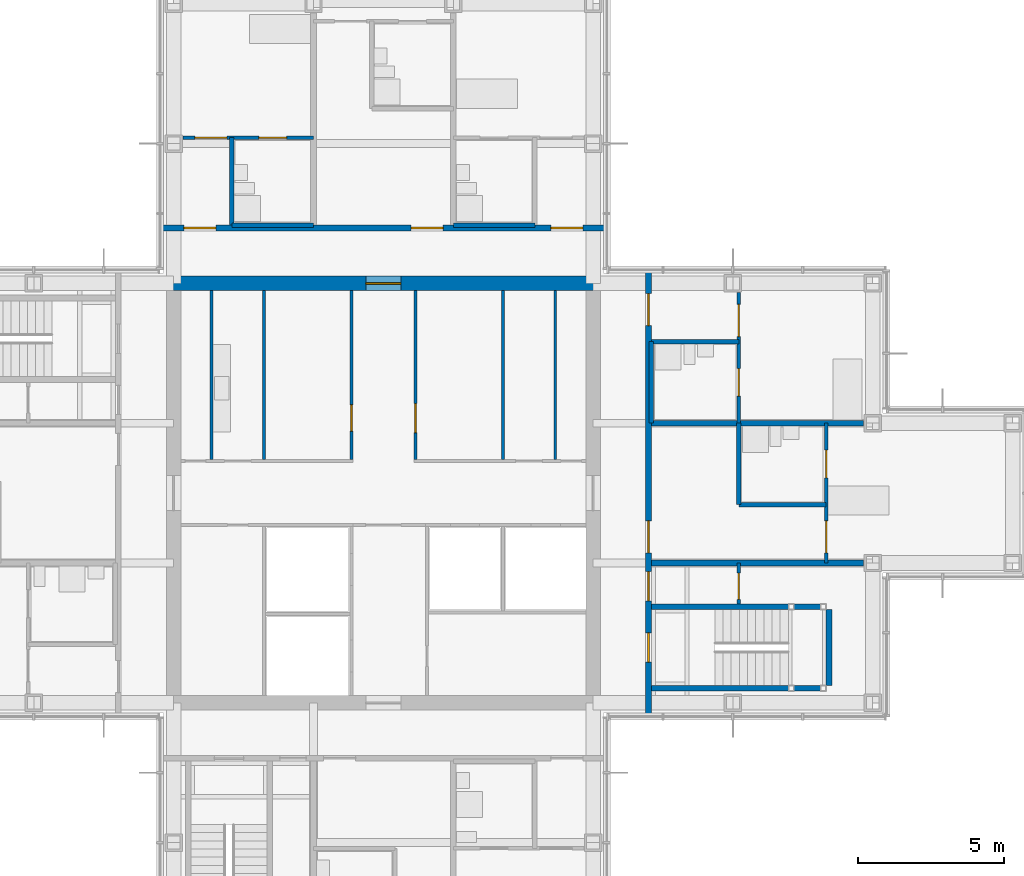
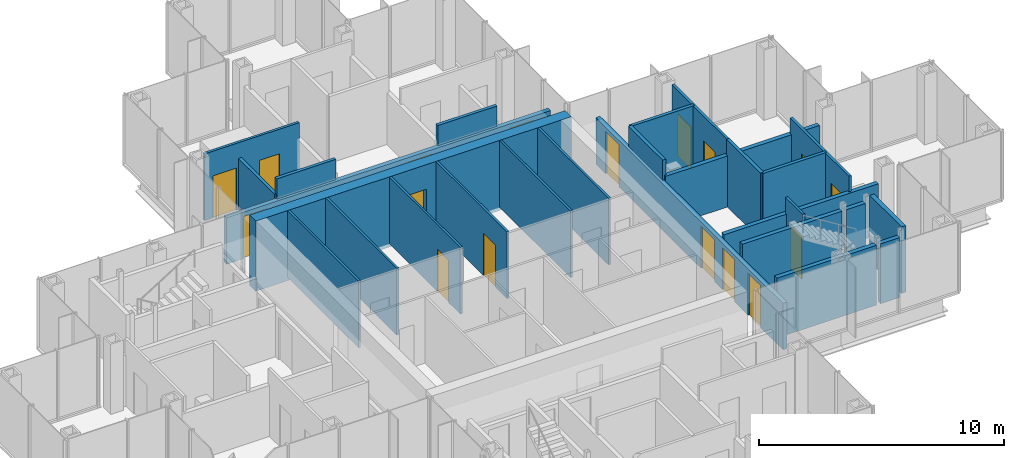
# One storey, part 13 of 17: 27 walls, 17 doors, 17 openings.
"""IFC4 building model written with IfcOpenShell, lengths in metres."""

from ifc_helpers import new_model, si_unit, direction, frame, frame_2d, origin, place, context, subcontext, project, spatial, rectangle, extrude, material, layer, layer_set, type_object, element, fill, save


model = new_model("IFC4")

# Units and contexts
model_context = context("Model", 3, precision=1e-05, world=origin(), true_north=direction((0.0, 1.0)))
body_context = subcontext(model_context, "Body", "Model", "MODEL_VIEW")
ifc_project = project(units=[si_unit("LENGTHUNIT", "METRE"), si_unit("AREAUNIT", "SQUARE_METRE"), si_unit("VOLUMEUNIT", "CUBIC_METRE"), si_unit("PLANEANGLEUNIT", "RADIAN"), si_unit("MASSUNIT", "GRAM", prefix="KILO")], contexts=[model_context])

# Site, building, storey
site_placement = place(None, origin())
site = spatial("IfcSite", under=ifc_project, at=site_placement, CompositionType="ELEMENT")
building_placement = place(site_placement, origin())
building = spatial("IfcBuilding", under=site, at=building_placement, Name="Kvirike Care Tower", CompositionType="ELEMENT")
storey_placement = place(building_placement, frame((0.0, 0.0, 179.5)))
storey = spatial("IfcBuildingStorey", under=building, at=storey_placement, Name="L49", CompositionType="ELEMENT", Elevation=179.5)

# Walls
ifc_material_1 = material(Name="Moisture-resistant board partition", Category="gypsum")
ifc_layer_1 = layer(ifc_material_1, 0.14990234375)
ifc_layer_set_1 = layer_set([ifc_layer_1], Name="BATHROOM WALL 150")
wall_type_1 = type_object("IfcWallType", Name="BATHROOM WALL 150", PredefinedType="PARTITIONING", material=ifc_layer_set_1)
wall_1_placement = place(storey_placement, frame((26.800048828125, 45.199951171875, 0.0), z_axis=(0.0, 0.0, 1.0), x_axis=(-1.0, 0.0, 0.0)))
element("IfcWall", 1, at=wall_1_placement, inside=storey, type_object=wall_type_1, Name="Bathroom Wall 150 L49", PredefinedType="PARTITIONING", context=body_context, shape_type="SweptSolid", body=[
    extrude(rectangle(XDim=2.800048828125, YDim=0.14990234375, at=frame_2d((1.39990234375, 0.0))), origin(), (0.0, 0.0, 1.0), 3.330078125),
])
wall_2_placement = place(storey_placement, frame((16.39990234375, 48.199951171875, 0.0), z_axis=(0.0, 0.0, 1.0), x_axis=(0.0, -1.0, 0.0)))
element("IfcWall", 2, at=wall_2_placement, inside=storey, type_object=wall_type_1, Name="Bathroom Wall 150 L49", PredefinedType="PARTITIONING", context=body_context, shape_type="SweptSolid", body=[
    extrude(rectangle(XDim=3.0, YDim=0.14990234375, at=frame_2d((1.5, 0.0))), origin(), (0.0, 0.0, 1.0), 2.550048828125),
])
wall_3_placement = place(storey_placement, frame((19.199951171875, 45.199951171875, 0.0), z_axis=(0.0, 0.0, 1.0), x_axis=(-1.0, 0.0, 0.0)))
element("IfcWall", 3, at=wall_3_placement, inside=storey, type_object=wall_type_1, Name="Bathroom Wall 150 L49", PredefinedType="PARTITIONING", context=body_context, shape_type="SweptSolid", body=[
    extrude(rectangle(XDim=2.800048828125, YDim=0.14990234375, at=frame_2d((1.39990234375, 0.0))), origin(), (0.0, 0.0, 1.0), 3.330078125),
])
wall_4_placement = place(storey_placement, frame((36.800048828125, 35.60009765625, 0.0), z_axis=(0.0, 0.0, 1.0), x_axis=(-1.0, 0.0, 0.0)))
element("IfcWall", 4, at=wall_4_placement, inside=storey, type_object=wall_type_1, Name="Bathroom Wall 150 L49", PredefinedType="PARTITIONING", context=body_context, shape_type="SweptSolid", body=[
    extrude(rectangle(XDim=3.0, YDim=0.14990234375, at=frame_2d((1.5, 0.0))), origin(), (0.0, 0.0, 1.0), 3.330078125),
])
wall_5_placement = place(storey_placement, frame((33.800048828125, 35.60009765625, 0.0), z_axis=(0.0, 0.0, 1.0), x_axis=(0.0, 1.0, 0.0)))
element("IfcWall", 5, at=wall_5_placement, inside=storey, type_object=wall_type_1, Name="Bathroom Wall 150 L49", PredefinedType="PARTITIONING", context=body_context, shape_type="SweptSolid", body=[
    extrude(rectangle(XDim=2.7998046875, YDim=0.14990234375, at=frame_2d((1.39990234375, 0.0))), origin(), (0.0, 0.0, 1.0), 3.330078125),
])
wall_6_placement = place(storey_placement, frame((33.800048828125, 41.199951171875, 0.0), z_axis=(0.0, 0.0, 1.0), x_axis=(-1.0, 0.0, 0.0)))
element("IfcWall", 6, at=wall_6_placement, inside=storey, type_object=wall_type_1, Name="Bathroom Wall 150 L49", PredefinedType="PARTITIONING", context=body_context, shape_type="SweptSolid", body=[
    extrude(rectangle(XDim=3.0, YDim=0.14990234375, at=frame_2d((1.5, 0.0))), origin(), (0.0, 0.0, 1.0), 3.330078125),
])
wall_7_placement = place(storey_placement, frame((30.800048828125, 38.39990234375, 0.0), z_axis=(0.0, 0.0, 1.0), x_axis=(0.0, 1.0, 0.0)))
element("IfcWall", 7, at=wall_7_placement, inside=storey, type_object=wall_type_1, Name="Bathroom Wall 150 L49", PredefinedType="PARTITIONING", context=body_context, shape_type="SweptSolid", body=[
    extrude(rectangle(XDim=2.800048828125, YDim=0.14990234375, at=frame_2d((1.39990234375, 0.0))), origin(), (0.0, 0.0, 1.0), 3.330078125),
])

# Wall, opening, door
ifc_material_2 = material(Name="Concrete C45/55", Category="concrete")
ifc_layer_2 = layer(ifc_material_2, 0.5)
ifc_layer_set_2 = layer_set([ifc_layer_2], Name="CORE WALL 500 C45-55")
wall_type_2 = type_object("IfcWallType", Name="CORE WALL 500 C45-55", PredefinedType="SHEAR", material=ifc_layer_set_2)
wall_8_placement = place(storey_placement, frame((29.050048828125, 43.199951171875, -0.169921875), z_axis=(0.0, 0.0, 1.0), x_axis=(-1.0, 0.0, 0.0)))
wall_8 = element("IfcWall", 8, at=wall_8_placement, inside=storey, type_object=wall_type_2, Name="Core wall N L49", PredefinedType="SHEAR", context=body_context, shape_type="SweptSolid", body=[
    extrude(rectangle(XDim=14.900146484375, YDim=0.5, at=frame_2d((7.4501953125, 0.0))), origin(), (0.0, 0.0, 1.0), 3.5),
])
opening_1_placement = place(wall_8_placement, frame((6.85009765625, 0.0, 0.169921875)))
opening_1 = element("IfcOpeningElement", 9, at=opening_1_placement, cuts=wall_8, Name="Opening 49-052", PredefinedType="OPENING", context=body_context, shape_type="SweptSolid", body=[
    extrude(rectangle(XDim=1.199951171875, YDim=2.10009765625, at=frame_2d((0.60009765625, 1.050048828125))), frame((0.0, 0.260498046875, 0.0), z_axis=(0.0, -1.0, 0.0), x_axis=(1.0, 0.0, 0.0)), (0.0, 0.0, 1.0), 0.52099609375),
])
ifc_material_3 = material(Name="Timber door set", Category="wood")
door_type_1 = type_object("IfcDoorType", Name="CORE DOOR 1200", OperationType="SINGLE_SWING_LEFT", PredefinedType="DOOR", material=ifc_material_3)
door_1_placement = place(opening_1_placement, origin())
door_1 = element("IfcDoor", 10, at=door_1_placement, inside=storey, type_object=door_type_1, Name="Core door N L49", OperationType="SINGLE_SWING_LEFT", OverallHeight=2.10009765625, OverallWidth=1.199951171875, PredefinedType="DOOR", context=body_context, shape_type="SweptSolid", body=[
    extrude(rectangle(XDim=1.199951171875, YDim=2.10009765625, at=frame_2d((0.60009765625, 1.050048828125))), frame((0.0, 0.02685546875, 0.0), z_axis=(0.0, -1.0, 0.0), x_axis=(1.0, 0.0, 0.0)), (0.0, 0.0, 1.0), 0.053955078125),
])
fill(opening_1, door_1)

# Wall, openings, doors
ifc_material_4 = material(Name="Plasterboard corridor wall", Category="gypsum")
ifc_layer_3 = layer(ifc_material_4, 0.199951171875)
ifc_layer_set_3 = layer_set([ifc_layer_3], Name="CORRIDOR WALL 200")
wall_type_3 = type_object("IfcWallType", Name="CORRIDOR WALL 200", PredefinedType="PARTITIONING", material=ifc_layer_set_3)
wall_9_placement = place(storey_placement, frame((29.25, 45.10009765625, 0.0), z_axis=(0.0, 0.0, 1.0), x_axis=(-1.0, 0.0, 0.0)))
wall_9 = element("IfcWall", 11, at=wall_9_placement, inside=storey, type_object=wall_type_3, Name="Corridor Wall 200 L49", PredefinedType="PARTITIONING", context=body_context, shape_type="SweptSolid", body=[
    extrude(rectangle(XDim=15.300048828125, YDim=0.199951171875, at=frame_2d((7.64990234375, 0.0))), origin(), (0.0, 0.0, 1.0), 2.320068359375),
])
opening_2_placement = place(wall_9_placement, frame((0.800048828125, 0.0, 0.0)))
opening_2 = element("IfcOpeningElement", 12, at=opening_2_placement, cuts=wall_9, Name="Opening 49-024", PredefinedType="OPENING", context=body_context, shape_type="SweptSolid", body=[
    extrude(rectangle(XDim=1.10009765625, YDim=2.10009765625, at=frame_2d((0.550048828125, 1.050048828125))), frame((0.0, 0.110595703125, 0.0), z_axis=(0.0, -1.0, 0.0), x_axis=(1.0, 0.0, 0.0)), (0.0, 0.0, 1.0), 0.220947265625),
])
opening_3_placement = place(wall_9_placement, frame((5.60009765625, 0.0, 0.0)))
opening_3 = element("IfcOpeningElement", 13, at=opening_3_placement, cuts=wall_9, Name="Opening 49-025", PredefinedType="OPENING", context=body_context, shape_type="SweptSolid", body=[
    extrude(rectangle(XDim=1.10009765625, YDim=2.10009765625, at=frame_2d((0.550048828125, 1.050048828125))), frame((0.0, 0.110595703125, 0.0), z_axis=(0.0, -1.0, 0.0), x_axis=(1.0, 0.0, 0.0)), (0.0, 0.0, 1.0), 0.220947265625),
])
opening_4_placement = place(wall_9_placement, frame((13.39990234375, 0.0, 0.0)))
opening_4 = element("IfcOpeningElement", 14, at=opening_4_placement, cuts=wall_9, Name="Opening 49-026", PredefinedType="OPENING", context=body_context, shape_type="SweptSolid", body=[
    extrude(rectangle(XDim=1.10009765625, YDim=2.10009765625, at=frame_2d((0.550048828125, 1.050048828125))), frame((0.0, 0.110595703125, 0.0), z_axis=(0.0, -1.0, 0.0), x_axis=(1.0, 0.0, 0.0)), (0.0, 0.0, 1.0), 0.220947265625),
])
ifc_material_5 = material(Name="Timber door set", Category="wood")
door_type_2 = type_object("IfcDoorType", Name="BEDROOM ENTRANCE DOOR 1100", OperationType="SINGLE_SWING_LEFT", PredefinedType="DOOR", material=ifc_material_5)
door_2_placement = place(opening_2_placement, frame((1.10009765625, 0.0, 0.0), z_axis=(0.0, 0.0, 1.0), x_axis=(-1.0, 0.0, 0.0)))
door_2 = element("IfcDoor", 15, at=door_2_placement, inside=storey, type_object=door_type_2, Name="Memory care bedroom entrance", OperationType="SINGLE_SWING_LEFT", OverallHeight=2.10009765625, OverallWidth=1.10009765625, PredefinedType="DOOR", context=body_context, shape_type="SweptSolid", body=[
    extrude(rectangle(XDim=1.10009765625, YDim=2.10009765625, at=frame_2d((0.550048828125, 1.050048828125))), frame((0.0, 0.02685546875, 0.0), z_axis=(0.0, -1.0, 0.0), x_axis=(1.0, 0.0, 0.0)), (0.0, 0.0, 1.0), 0.053955078125),
])
fill(opening_2, door_2)
door_3_placement = place(opening_3_placement, frame((1.10009765625, 0.0, 0.0), z_axis=(0.0, 0.0, 1.0), x_axis=(-1.0, 0.0, 0.0)))
door_3 = element("IfcDoor", 16, at=door_3_placement, inside=storey, type_object=door_type_2, Name="Memory care bedroom entrance", OperationType="SINGLE_SWING_LEFT", OverallHeight=2.10009765625, OverallWidth=1.10009765625, PredefinedType="DOOR", context=body_context, shape_type="SweptSolid", body=[
    extrude(rectangle(XDim=1.10009765625, YDim=2.10009765625, at=frame_2d((0.550048828125, 1.050048828125))), frame((0.0, 0.02685546875, 0.0), z_axis=(0.0, -1.0, 0.0), x_axis=(1.0, 0.0, 0.0)), (0.0, 0.0, 1.0), 0.053955078125),
])
fill(opening_3, door_3)
door_4_placement = place(opening_4_placement, frame((1.10009765625, 0.0, 0.0), z_axis=(0.0, 0.0, 1.0), x_axis=(-1.0, 0.0, 0.0)))
door_4 = element("IfcDoor", 17, at=door_4_placement, inside=storey, type_object=door_type_2, Name="Memory care bedroom entrance", OperationType="SINGLE_SWING_RIGHT", OverallHeight=2.10009765625, OverallWidth=1.10009765625, PredefinedType="DOOR", context=body_context, shape_type="SweptSolid", body=[
    extrude(rectangle(XDim=1.10009765625, YDim=2.10009765625, at=frame_2d((0.550048828125, 1.050048828125))), frame((0.0, 0.02685546875, 0.0), z_axis=(0.0, -1.0, 0.0), x_axis=(1.0, 0.0, 0.0)), (0.0, 0.0, 1.0), 0.053955078125),
])
fill(opening_4, door_4)

wall_10_placement = place(storey_placement, frame((30.699951171875, 28.35009765625, 0.0), z_axis=(0.0, 0.0, 1.0), x_axis=(0.0, 1.0, 0.0)))
wall_10 = element("IfcWall", 18, at=wall_10_placement, inside=storey, type_object=wall_type_3, Name="Corridor Wall 200 L49", PredefinedType="PARTITIONING", context=body_context, shape_type="SweptSolid", body=[
    extrude(rectangle(XDim=15.2998046875, YDim=0.199951171875, at=frame_2d((7.64990234375, 0.0))), origin(), (0.0, 0.0, 1.0), 2.320068359375),
])
opening_5_placement = place(wall_10_placement, frame((1.85009765625, 0.0, 0.0)))
opening_5 = element("IfcOpeningElement", 19, at=opening_5_placement, cuts=wall_10, Name="Opening 49-032", PredefinedType="OPENING", context=body_context, shape_type="SweptSolid", body=[
    extrude(rectangle(XDim=1.0, YDim=2.10009765625, at=frame_2d((0.5, 1.050048828125))), frame((0.0, 0.110595703125, 0.0), z_axis=(0.0, -1.0, 0.0), x_axis=(1.0, 0.0, 0.0)), (0.0, 0.0, 1.0), 0.220947265625),
])
opening_6_placement = place(wall_10_placement, frame((3.949951171875, 0.0, 0.0)))
opening_6 = element("IfcOpeningElement", 20, at=opening_6_placement, cuts=wall_10, Name="Opening 49-033", PredefinedType="OPENING", context=body_context, shape_type="SweptSolid", body=[
    extrude(rectangle(XDim=1.0, YDim=2.10009765625, at=frame_2d((0.5, 1.050048828125))), frame((0.0, 0.110595703125, 0.0), z_axis=(0.0, -1.0, 0.0), x_axis=(1.0, 0.0, 0.0)), (0.0, 0.0, 1.0), 0.220947265625),
])
opening_7_placement = place(wall_10_placement, frame((5.60009765625, 0.0, 0.0)))
opening_7 = element("IfcOpeningElement", 21, at=opening_7_placement, cuts=wall_10, Name="Opening 49-034", PredefinedType="OPENING", context=body_context, shape_type="SweptSolid", body=[
    extrude(rectangle(XDim=1.10009765625, YDim=2.10009765625, at=frame_2d((0.550048828125, 1.050048828125))), frame((0.0, 0.110595703125, 0.0), z_axis=(0.0, -1.0, 0.0), x_axis=(1.0, 0.0, 0.0)), (0.0, 0.0, 1.0), 0.220947265625),
])
opening_8_placement = place(wall_10_placement, frame((13.39990234375, 0.0, 0.0)))
opening_8 = element("IfcOpeningElement", 22, at=opening_8_placement, cuts=wall_10, Name="Opening 49-035", PredefinedType="OPENING", context=body_context, shape_type="SweptSolid", body=[
    extrude(rectangle(XDim=1.10009765625, YDim=2.10009765625, at=frame_2d((0.550048828125, 1.050048828125))), frame((0.0, 0.110595703125, 0.0), z_axis=(0.0, -1.0, 0.0), x_axis=(1.0, 0.0, 0.0)), (0.0, 0.0, 1.0), 0.220947265625),
])
door_5_placement = place(opening_7_placement, frame((1.10009765625, 0.0, 0.0), z_axis=(0.0, 0.0, 1.0), x_axis=(-1.0, 0.0, 0.0)))
door_5 = element("IfcDoor", 23, at=door_5_placement, inside=storey, type_object=door_type_2, Name="Memory care bedroom entrance", OperationType="SINGLE_SWING_LEFT", OverallHeight=2.10009765625, OverallWidth=1.10009765625, PredefinedType="DOOR", context=body_context, shape_type="SweptSolid", body=[
    extrude(rectangle(XDim=1.10009765625, YDim=2.10009765625, at=frame_2d((0.550048828125, 1.050048828125))), frame((0.0, 0.02685546875, 0.0), z_axis=(0.0, -1.0, 0.0), x_axis=(1.0, 0.0, 0.0)), (0.0, 0.0, 1.0), 0.053955078125),
])
fill(opening_7, door_5)
door_6_placement = place(opening_8_placement, frame((1.10009765625, 0.0, 0.0), z_axis=(0.0, 0.0, 1.0), x_axis=(-1.0, 0.0, 0.0)))
door_6 = element("IfcDoor", 24, at=door_6_placement, inside=storey, type_object=door_type_2, Name="Memory care bedroom entrance", OperationType="SINGLE_SWING_RIGHT", OverallHeight=2.10009765625, OverallWidth=1.10009765625, PredefinedType="DOOR", context=body_context, shape_type="SweptSolid", body=[
    extrude(rectangle(XDim=1.10009765625, YDim=2.10009765625, at=frame_2d((0.550048828125, 1.050048828125))), frame((0.0, 0.02685546875, 0.0), z_axis=(0.0, -1.0, 0.0), x_axis=(1.0, 0.0, 0.0)), (0.0, 0.0, 1.0), 0.053955078125),
])
fill(opening_8, door_6)
ifc_material_6 = material(Name="Timber door set", Category="wood")
door_type_3 = type_object("IfcDoorType", Name="FLAT ENTRANCE DOOR 1000", OperationType="SINGLE_SWING_LEFT", PredefinedType="DOOR", material=ifc_material_6)
door_7_placement = place(opening_6_placement, frame((1.0, 0.0, 0.0), z_axis=(0.0, 0.0, 1.0), x_axis=(-1.0, 0.0, 0.0)))
door_7 = element("IfcDoor", 25, at=door_7_placement, inside=storey, type_object=door_type_3, Name="Activity room entrance", OperationType="SINGLE_SWING_LEFT", OverallHeight=2.10009765625, OverallWidth=1.0, PredefinedType="DOOR", context=body_context, shape_type="SweptSolid", body=[
    extrude(rectangle(XDim=1.0, YDim=2.10009765625, at=frame_2d((0.5, 1.050048828125))), frame((0.0, 0.02685546875, 0.0), z_axis=(0.0, -1.0, 0.0), x_axis=(1.0, 0.0, 0.0)), (0.0, 0.0, 1.0), 0.053955078125),
])
fill(opening_6, door_7)
ifc_material_7 = material(Name="Timber door set", Category="wood")
door_type_4 = type_object("IfcDoorType", Name="STAIR DOOR 1000", OperationType="SINGLE_SWING_LEFT", PredefinedType="DOOR", material=ifc_material_7)
door_8_placement = place(opening_5_placement, frame((1.0, 0.0, 0.0), z_axis=(0.0, 0.0, 1.0), x_axis=(-1.0, 0.0, 0.0)))
door_8 = element("IfcDoor", 26, at=door_8_placement, inside=storey, type_object=door_type_4, Name="Stair 2 door", OperationType="SINGLE_SWING_LEFT", OverallHeight=2.10009765625, OverallWidth=1.0, PredefinedType="DOOR", context=body_context, shape_type="SweptSolid", body=[
    extrude(rectangle(XDim=1.0, YDim=2.10009765625, at=frame_2d((0.5, 1.050048828125))), frame((0.0, 0.031982421875, 0.0), z_axis=(0.0, -1.0, 0.0), x_axis=(1.0, 0.0, 0.0)), (0.0, 0.0, 1.0), 0.06396484375),
])
fill(opening_5, door_8)

ifc_material_8 = material(Name="Plasterboard partition", Category="gypsum")
ifc_layer_4 = layer(ifc_material_8, 0.1201171875)
ifc_layer_set_4 = layer_set([ifc_layer_4], Name="PARTITION 120")
wall_type_4 = type_object("IfcWallType", Name="PARTITION 120", PredefinedType="PARTITIONING", material=ifc_layer_set_4)
wall_11_placement = place(storey_placement, frame((19.199951171875, 48.199951171875, 0.0), z_axis=(0.0, 0.0, 1.0), x_axis=(-1.0, 0.0, 0.0)))
wall_11 = element("IfcWall", 27, at=wall_11_placement, inside=storey, type_object=wall_type_4, Name="Partition 120 L49", PredefinedType="PARTITIONING", context=body_context, shape_type="SweptSolid", body=[
    extrude(rectangle(XDim=4.47998046875, YDim=0.1201171875, at=frame_2d((2.239990234375, 0.0))), origin(), (0.0, 0.0, 1.0), 3.330078125),
])
opening_9_placement = place(wall_11_placement, frame((2.97509765625, 0.0, 0.0)))
opening_9 = element("IfcOpeningElement", 28, at=opening_9_placement, cuts=wall_11, Name="Opening 49-022", PredefinedType="OPENING", context=body_context, shape_type="SweptSolid", body=[
    extrude(rectangle(XDim=1.10009765625, YDim=2.10009765625, at=frame_2d((0.550048828125, 1.050048828125))), frame((0.0, 0.070556640625, 0.0), z_axis=(0.0, -1.0, 0.0), x_axis=(1.0, 0.0, 0.0)), (0.0, 0.0, 1.0), 0.14111328125),
])
opening_10_placement = place(wall_11_placement, frame((0.925048828125, 0.0, 0.0)))
opening_10 = element("IfcOpeningElement", 29, at=opening_10_placement, cuts=wall_11, Name="Opening 49-023", PredefinedType="OPENING", context=body_context, shape_type="SweptSolid", body=[
    extrude(rectangle(XDim=0.949951171875, YDim=2.10009765625, at=frame_2d((0.47509765625, 1.050048828125))), frame((0.0, 0.070556640625, 0.0), z_axis=(0.0, -1.0, 0.0), x_axis=(1.0, 0.0, 0.0)), (0.0, 0.0, 1.0), 0.14111328125),
])
ifc_material_9 = material(Name="Timber door set", Category="wood")
door_type_5 = type_object("IfcDoorType", Name="BEDROOM DOOR 1100", OperationType="SINGLE_SWING_LEFT", PredefinedType="DOOR", material=ifc_material_9)
door_9_placement = place(opening_9_placement, origin())
door_9 = element("IfcDoor", 30, at=door_9_placement, inside=storey, type_object=door_type_5, Name="Memory care bedroom door", OperationType="SINGLE_SWING_RIGHT", OverallHeight=2.10009765625, OverallWidth=1.10009765625, PredefinedType="DOOR", context=body_context, shape_type="SweptSolid", body=[
    extrude(rectangle(XDim=1.10009765625, YDim=2.10009765625, at=frame_2d((0.550048828125, 1.050048828125))), frame((0.0, 0.02197265625, 0.0), z_axis=(0.0, -1.0, 0.0), x_axis=(1.0, 0.0, 0.0)), (0.0, 0.0, 1.0), 0.0439453125),
])
fill(opening_9, door_9)
ifc_material_10 = material(Name="Timber door set", Category="wood")
door_type_6 = type_object("IfcDoorType", Name="EN-SUITE SLIDING DOOR 950", OperationType="SLIDING_TO_LEFT", PredefinedType="DOOR", material=ifc_material_10)
door_10_placement = place(opening_10_placement, origin())
door_10 = element("IfcDoor", 31, at=door_10_placement, inside=storey, type_object=door_type_6, Name="En-suite door", OperationType="SLIDING_TO_RIGHT", OverallHeight=2.10009765625, OverallWidth=0.949951171875, PredefinedType="DOOR", context=body_context, shape_type="SweptSolid", body=[
    extrude(rectangle(XDim=0.949951171875, YDim=2.10009765625, at=frame_2d((0.47509765625, 1.050048828125))), frame((0.0, 0.02197265625, 0.0), z_axis=(0.0, -1.0, 0.0), x_axis=(1.0, 0.0, 0.0)), (0.0, 0.0, 1.0), 0.0439453125),
])
fill(opening_10, door_10)

# Wall, opening, door
wall_12_placement = place(storey_placement, frame((33.800048828125, 32.199951171875, 0.0), z_axis=(0.0, 0.0, 1.0), x_axis=(0.0, 1.0, 0.0)))
wall_12 = element("IfcWall", 32, at=wall_12_placement, inside=storey, type_object=wall_type_4, Name="Partition 120 L49", PredefinedType="PARTITIONING", context=body_context, shape_type="SweptSolid", body=[
    extrude(rectangle(XDim=1.400146484375, YDim=0.1201171875, at=frame_2d((0.7001953125, 0.0))), origin(), (0.0, 0.0, 1.0), 3.330078125),
])
opening_11_placement = place(wall_12_placement, frame((0.14990234375, 0.0, 0.0)))
opening_11 = element("IfcOpeningElement", 33, at=opening_11_placement, cuts=wall_12, Name="Opening 49-027", PredefinedType="OPENING", context=body_context, shape_type="SweptSolid", body=[
    extrude(rectangle(XDim=0.89990234375, YDim=2.10009765625, at=frame_2d((0.449951171875, 1.050048828125))), frame((0.0, 0.070556640625, 0.0), z_axis=(0.0, -1.0, 0.0), x_axis=(1.0, 0.0, 0.0)), (0.0, 0.0, 1.0), 0.14111328125),
])
ifc_material_11 = material(Name="Timber door set", Category="wood")
door_type_7 = type_object("IfcDoorType", Name="INTERNAL DOOR 900", OperationType="SINGLE_SWING_LEFT", PredefinedType="DOOR", material=ifc_material_11)
door_11_placement = place(opening_11_placement, origin())
door_11 = element("IfcDoor", 34, at=door_11_placement, inside=storey, type_object=door_type_7, Name="Activity room door", OperationType="SINGLE_SWING_RIGHT", OverallHeight=2.10009765625, OverallWidth=0.89990234375, PredefinedType="DOOR", context=body_context, shape_type="SweptSolid", body=[
    extrude(rectangle(XDim=0.89990234375, YDim=2.10009765625, at=frame_2d((0.449951171875, 1.050048828125))), frame((0.0, 0.02197265625, 0.0), z_axis=(0.0, -1.0, 0.0), x_axis=(1.0, 0.0, 0.0)), (0.0, 0.0, 1.0), 0.0439453125),
])
fill(opening_11, door_11)

# Wall, openings, doors
wall_13_placement = place(storey_placement, frame((36.800048828125, 33.60009765625, 0.0), z_axis=(0.0, 0.0, 1.0), x_axis=(0.0, 1.0, 0.0)))
wall_13 = element("IfcWall", 35, at=wall_13_placement, inside=storey, type_object=wall_type_4, Name="Partition 120 L49", PredefinedType="PARTITIONING", context=body_context, shape_type="SweptSolid", body=[
    extrude(rectangle(XDim=4.7998046875, YDim=0.1201171875, at=frame_2d((2.39990234375, 0.0))), origin(), (0.0, 0.0, 1.0), 3.330078125),
])
opening_12_placement = place(wall_13_placement, frame((0.35009765625, 0.0, 0.0)))
opening_12 = element("IfcOpeningElement", 36, at=opening_12_placement, cuts=wall_13, Name="Opening 49-028", PredefinedType="OPENING", context=body_context, shape_type="SweptSolid", body=[
    extrude(rectangle(XDim=1.10009765625, YDim=2.10009765625, at=frame_2d((0.550048828125, 1.050048828125))), frame((0.0, 0.070556640625, 0.0), z_axis=(0.0, -1.0, 0.0), x_axis=(1.0, 0.0, 0.0)), (0.0, 0.0, 1.0), 0.14111328125),
])
opening_13_placement = place(wall_13_placement, frame((2.925048828125, 0.0, 0.0)))
opening_13 = element("IfcOpeningElement", 37, at=opening_13_placement, cuts=wall_13, Name="Opening 49-029", PredefinedType="OPENING", context=body_context, shape_type="SweptSolid", body=[
    extrude(rectangle(XDim=0.949951171875, YDim=2.10009765625, at=frame_2d((0.47509765625, 1.050048828125))), frame((0.0, 0.070556640625, 0.0), z_axis=(0.0, -1.0, 0.0), x_axis=(1.0, 0.0, 0.0)), (0.0, 0.0, 1.0), 0.14111328125),
])
door_12_placement = place(opening_12_placement, origin())
door_12 = element("IfcDoor", 38, at=door_12_placement, inside=storey, type_object=door_type_5, Name="Memory care bedroom door", OperationType="SINGLE_SWING_RIGHT", OverallHeight=2.10009765625, OverallWidth=1.10009765625, PredefinedType="DOOR", context=body_context, shape_type="SweptSolid", body=[
    extrude(rectangle(XDim=1.10009765625, YDim=2.10009765625, at=frame_2d((0.550048828125, 1.050048828125))), frame((0.0, 0.02197265625, 0.0), z_axis=(0.0, -1.0, 0.0), x_axis=(1.0, 0.0, 0.0)), (0.0, 0.0, 1.0), 0.0439453125),
])
fill(opening_12, door_12)
door_13_placement = place(opening_13_placement, origin())
door_13 = element("IfcDoor", 39, at=door_13_placement, inside=storey, type_object=door_type_6, Name="En-suite door", OperationType="SLIDING_TO_RIGHT", OverallHeight=2.10009765625, OverallWidth=0.949951171875, PredefinedType="DOOR", context=body_context, shape_type="SweptSolid", body=[
    extrude(rectangle(XDim=0.949951171875, YDim=2.10009765625, at=frame_2d((0.47509765625, 1.050048828125))), frame((0.0, 0.02197265625, 0.0), z_axis=(0.0, -1.0, 0.0), x_axis=(1.0, 0.0, 0.0)), (0.0, 0.0, 1.0), 0.0439453125),
])
fill(opening_13, door_13)

wall_14_placement = place(storey_placement, frame((33.800048828125, 38.39990234375, 0.0), z_axis=(0.0, 0.0, 1.0), x_axis=(0.0, 1.0, 0.0)))
wall_14 = element("IfcWall", 40, at=wall_14_placement, inside=storey, type_object=wall_type_4, Name="Partition 120 L49", PredefinedType="PARTITIONING", context=body_context, shape_type="SweptSolid", body=[
    extrude(rectangle(XDim=4.47998046875, YDim=0.1201171875, at=frame_2d((2.239990234375, 0.0))), origin(), (0.0, 0.0, 1.0), 3.330078125),
])
opening_14_placement = place(wall_14_placement, frame((2.97509765625, 0.0, 0.0)))
opening_14 = element("IfcOpeningElement", 41, at=opening_14_placement, cuts=wall_14, Name="Opening 49-030", PredefinedType="OPENING", context=body_context, shape_type="SweptSolid", body=[
    extrude(rectangle(XDim=1.10009765625, YDim=2.10009765625, at=frame_2d((0.550048828125, 1.050048828125))), frame((0.0, 0.070556640625, 0.0), z_axis=(0.0, -1.0, 0.0), x_axis=(1.0, 0.0, 0.0)), (0.0, 0.0, 1.0), 0.14111328125),
])
opening_15_placement = place(wall_14_placement, frame((0.925048828125, 0.0, 0.0)))
opening_15 = element("IfcOpeningElement", 42, at=opening_15_placement, cuts=wall_14, Name="Opening 49-031", PredefinedType="OPENING", context=body_context, shape_type="SweptSolid", body=[
    extrude(rectangle(XDim=0.949951171875, YDim=2.10009765625, at=frame_2d((0.47509765625, 1.050048828125))), frame((0.0, 0.070556640625, 0.0), z_axis=(0.0, -1.0, 0.0), x_axis=(1.0, 0.0, 0.0)), (0.0, 0.0, 1.0), 0.14111328125),
])
door_14_placement = place(opening_14_placement, origin())
door_14 = element("IfcDoor", 43, at=door_14_placement, inside=storey, type_object=door_type_5, Name="Memory care bedroom door", OperationType="SINGLE_SWING_RIGHT", OverallHeight=2.10009765625, OverallWidth=1.10009765625, PredefinedType="DOOR", context=body_context, shape_type="SweptSolid", body=[
    extrude(rectangle(XDim=1.10009765625, YDim=2.10009765625, at=frame_2d((0.550048828125, 1.050048828125))), frame((0.0, 0.02197265625, 0.0), z_axis=(0.0, -1.0, 0.0), x_axis=(1.0, 0.0, 0.0)), (0.0, 0.0, 1.0), 0.0439453125),
])
fill(opening_14, door_14)
door_15_placement = place(opening_15_placement, origin())
door_15 = element("IfcDoor", 44, at=door_15_placement, inside=storey, type_object=door_type_6, Name="En-suite door", OperationType="SLIDING_TO_RIGHT", OverallHeight=2.10009765625, OverallWidth=0.949951171875, PredefinedType="DOOR", context=body_context, shape_type="SweptSolid", body=[
    extrude(rectangle(XDim=0.949951171875, YDim=2.10009765625, at=frame_2d((0.47509765625, 1.050048828125))), frame((0.0, 0.02197265625, 0.0), z_axis=(0.0, -1.0, 0.0), x_axis=(1.0, 0.0, 0.0)), (0.0, 0.0, 1.0), 0.0439453125),
])
fill(opening_15, door_15)

# Walls
ifc_material_12 = material(Name="Plasterboard party wall", Category="gypsum")
ifc_layer_5 = layer(ifc_material_12, 0.199951171875)
ifc_layer_set_5 = layer_set([ifc_layer_5], Name="PARTY WALL 200")
wall_type_5 = type_object("IfcWallType", Name="PARTY WALL 200", PredefinedType="PARTITIONING", material=ifc_layer_set_5)
for number, where, z_axis, x_axis, name in (
    (45, (38.080078125, 33.60009765625, 0.0), (0.0, 0.0, 1.0), (-1.0, 0.0, 0.0), "Party Wall 200 L49"),
    (46, (38.080078125, 38.39990234375, 0.0), (0.0, 0.0, 1.0), (-1.0, 0.0, 0.0), "Party Wall 200 L49"),
):
    element("IfcWall", number, at=place(storey_placement, frame(where, z_axis=z_axis, x_axis=x_axis)), inside=storey, type_object=wall_type_5, Name=name, PredefinedType="PARTITIONING", context=body_context, shape_type="SweptSolid", body=[
        extrude(rectangle(XDim=7.280029296875, YDim=0.199951171875, at=frame_2d((3.64013671875, 0.0))), origin(), (0.0, 0.0, 1.0), 2.550048828125),
    ])
ifc_material_13 = material(Name="Gypsum shaft wall system", Category="gypsum")
ifc_layer_6 = layer(ifc_material_13, 0.10009765625)
ifc_layer_set_6 = layer_set([ifc_layer_6], Name="SHAFT WALL 100")
wall_type_6 = type_object("IfcWallType", Name="SHAFT WALL 100", PredefinedType="SOLIDWALL", material=ifc_layer_set_6)
for number, where, z_axis, x_axis, name in (
    (47, (15.699951171875, 37.14990234375, 0.0), (0.0, 0.0, 1.0), (0.0, 1.0, 0.0), "Shaft Wall 100 L49"),
    (48, (27.5, 37.14990234375, 0.0), (0.0, 0.0, 1.0), (0.0, 1.0, 0.0), "Shaft Wall 100 L49"),
):
    element("IfcWall", number, at=place(storey_placement, frame(where, z_axis=z_axis, x_axis=x_axis)), inside=storey, type_object=wall_type_6, Name=name, PredefinedType="SOLIDWALL", context=body_context, shape_type="SweptSolid", body=[
        extrude(rectangle(XDim=5.800048828125, YDim=0.10009765625, at=frame_2d((2.89990234375, 0.0))), origin(), (0.0, 0.0, 1.0), 3.330078125),
    ])

# Wall, opening, door
wall_15_placement = place(storey_placement, frame((20.5, 37.14990234375, 0.0), z_axis=(0.0, 0.0, 1.0), x_axis=(0.0, 1.0, 0.0)))
wall_15 = element("IfcWall", 49, at=wall_15_placement, inside=storey, type_object=wall_type_6, Name="Shaft Wall 100 L49", PredefinedType="SOLIDWALL", context=body_context, shape_type="SweptSolid", body=[
    extrude(rectangle(XDim=5.800048828125, YDim=0.10009765625, at=frame_2d((2.89990234375, 0.0))), origin(), (0.0, 0.0, 1.0), 3.330078125),
])
opening_16_placement = place(wall_15_placement, frame((0.97509765625, 0.0, 0.0)))
opening_16 = element("IfcOpeningElement", 50, at=opening_16_placement, cuts=wall_15, Name="Opening 49-038", PredefinedType="OPENING", context=body_context, shape_type="SweptSolid", body=[
    extrude(rectangle(XDim=0.89990234375, YDim=2.10009765625, at=frame_2d((0.449951171875, 1.050048828125))), frame((0.0, 0.060546875, 0.0), z_axis=(0.0, -1.0, 0.0), x_axis=(1.0, 0.0, 0.0)), (0.0, 0.0, 1.0), 0.12109375),
])
ifc_material_14 = material(Name="Timber door set", Category="wood")
door_type_8 = type_object("IfcDoorType", Name="STORE DOOR 900", OperationType="SINGLE_SWING_LEFT", PredefinedType="DOOR", material=ifc_material_14)
door_16_placement = place(opening_16_placement, origin())
door_16 = element("IfcDoor", 51, at=door_16_placement, inside=storey, type_object=door_type_8, Name="Records store door", OperationType="SINGLE_SWING_RIGHT", OverallHeight=2.10009765625, OverallWidth=0.89990234375, PredefinedType="DOOR", context=body_context, shape_type="SweptSolid", body=[
    extrude(rectangle(XDim=0.89990234375, YDim=2.10009765625, at=frame_2d((0.449951171875, 1.050048828125))), frame((0.0, 0.02685546875, 0.0), z_axis=(0.0, -1.0, 0.0), x_axis=(1.0, 0.0, 0.0)), (0.0, 0.0, 1.0), 0.053955078125),
])
fill(opening_16, door_16)

wall_16_placement = place(storey_placement, frame((22.699951171875, 37.14990234375, 0.0), z_axis=(0.0, 0.0, 1.0), x_axis=(0.0, 1.0, 0.0)))
wall_16 = element("IfcWall", 52, at=wall_16_placement, inside=storey, type_object=wall_type_6, Name="Shaft Wall 100 L49", PredefinedType="SOLIDWALL", context=body_context, shape_type="SweptSolid", body=[
    extrude(rectangle(XDim=5.800048828125, YDim=0.10009765625, at=frame_2d((2.89990234375, 0.0))), origin(), (0.0, 0.0, 1.0), 3.330078125),
])
opening_17_placement = place(wall_16_placement, frame((0.925048828125, 0.0, 0.0)))
opening_17 = element("IfcOpeningElement", 53, at=opening_17_placement, cuts=wall_16, Name="Opening 49-039", PredefinedType="OPENING", context=body_context, shape_type="SweptSolid", body=[
    extrude(rectangle(XDim=1.0, YDim=2.10009765625, at=frame_2d((0.5, 1.050048828125))), frame((0.0, 0.060546875, 0.0), z_axis=(0.0, -1.0, 0.0), x_axis=(1.0, 0.0, 0.0)), (0.0, 0.0, 1.0), 0.12109375),
])
ifc_material_15 = material(Name="Timber door set", Category="wood")
door_type_9 = type_object("IfcDoorType", Name="WC DOOR 1000", OperationType="SINGLE_SWING_LEFT", PredefinedType="DOOR", material=ifc_material_15)
door_17_placement = place(opening_17_placement, frame((1.0, 0.0, 0.0), z_axis=(0.0, 0.0, 1.0), x_axis=(-1.0, 0.0, 0.0)))
door_17 = element("IfcDoor", 54, at=door_17_placement, inside=storey, type_object=door_type_9, Name="Staff WC door", OperationType="SINGLE_SWING_LEFT", OverallHeight=2.10009765625, OverallWidth=1.0, PredefinedType="DOOR", context=body_context, shape_type="SweptSolid", body=[
    extrude(rectangle(XDim=1.0, YDim=2.10009765625, at=frame_2d((0.5, 1.050048828125))), frame((0.0, 0.02685546875, 0.0), z_axis=(0.0, -1.0, 0.0), x_axis=(1.0, 0.0, 0.0)), (0.0, 0.0, 1.0), 0.053955078125),
])
fill(opening_17, door_17)

# Walls
for number, where, z_axis, x_axis, name in (
    (55, (17.5, 37.14990234375, 0.0), (0.0, 0.0, 1.0), (0.0, 1.0, 0.0), "Shaft Wall 100 L49"),
    (56, (25.699951171875, 37.14990234375, 0.0), (0.0, 0.0, 1.0), (0.0, 1.0, 0.0), "Shaft Wall 100 L49"),
):
    element("IfcWall", number, at=place(storey_placement, frame(where, z_axis=z_axis, x_axis=x_axis)), inside=storey, type_object=wall_type_6, Name=name, PredefinedType="SOLIDWALL", context=body_context, shape_type="SweptSolid", body=[
        extrude(rectangle(XDim=5.800048828125, YDim=0.10009765625, at=frame_2d((2.89990234375, 0.0))), origin(), (0.0, 0.0, 1.0), 3.330078125),
    ])
ifc_material_16 = material(Name="Concrete C40/50", Category="concrete")
ifc_layer_7 = layer(ifc_material_16, 0.199951171875)
ifc_layer_set_7 = layer_set([ifc_layer_7], Name="STAIR WALL 200")
wall_type_7 = type_object("IfcWallType", Name="STAIR WALL 200", PredefinedType="SOLIDWALL", material=ifc_layer_set_7)
wall_17_placement = place(storey_placement, frame((36.60009765625, 29.300048828125, 0.0), z_axis=(0.0, 0.0, 1.0), x_axis=(-1.0, 0.0, 0.0)))
element("IfcWall", 57, at=wall_17_placement, inside=storey, type_object=wall_type_7, Name="Stair Wall 200 L49", PredefinedType="SOLIDWALL", context=body_context, shape_type="SweptSolid", body=[
    extrude(rectangle(XDim=0.900146484375, YDim=0.199951171875, at=frame_2d((0.4501953125, 0.0))), origin(), (0.0, 0.0, 1.0), 2.989990234375),
])
wall_18_placement = place(storey_placement, frame((35.5, 29.300048828125, 0.0), z_axis=(0.0, 0.0, 1.0), x_axis=(-1.0, 0.0, 0.0)))
element("IfcWall", 58, at=wall_18_placement, inside=storey, type_object=wall_type_7, Name="Stair Wall 200 L49", PredefinedType="SOLIDWALL", context=body_context, shape_type="SweptSolid", body=[
    extrude(rectangle(XDim=4.699951171875, YDim=0.199951171875, at=frame_2d((2.35009765625, 0.0))), origin(), (0.0, 0.0, 1.0), 2.989990234375),
])
wall_19_placement = place(storey_placement, frame((36.60009765625, 32.10009765625, 0.0), z_axis=(0.0, 0.0, 1.0), x_axis=(-1.0, 0.0, 0.0)))
element("IfcWall", 59, at=wall_19_placement, inside=storey, type_object=wall_type_7, Name="Stair Wall 200 L49", PredefinedType="SOLIDWALL", context=body_context, shape_type="SweptSolid", body=[
    extrude(rectangle(XDim=0.900146484375, YDim=0.199951171875, at=frame_2d((0.4501953125, 0.0))), origin(), (0.0, 0.0, 1.0), 2.989990234375),
])
wall_20_placement = place(storey_placement, frame((35.5, 32.10009765625, 0.0), z_axis=(0.0, 0.0, 1.0), x_axis=(-1.0, 0.0, 0.0)))
element("IfcWall", 60, at=wall_20_placement, inside=storey, type_object=wall_type_7, Name="Stair Wall 200 L49", PredefinedType="SOLIDWALL", context=body_context, shape_type="SweptSolid", body=[
    extrude(rectangle(XDim=4.699951171875, YDim=0.199951171875, at=frame_2d((2.35009765625, 0.0))), origin(), (0.0, 0.0, 1.0), 2.989990234375),
])
wall_21_placement = place(storey_placement, frame((36.89990234375, 29.39990234375, 0.0), z_axis=(0.0, 0.0, 1.0), x_axis=(0.0, 1.0, 0.0)))
element("IfcWall", 61, at=wall_21_placement, inside=storey, type_object=wall_type_7, Name="Stair Wall 200 L49", PredefinedType="SOLIDWALL", context=body_context, shape_type="SweptSolid", body=[
    extrude(rectangle(XDim=2.60009765625, YDim=0.199951171875, at=frame_2d((1.300048828125, 0.0))), origin(), (0.0, 0.0, 1.0), 3.330078125),
])

save(model, "model.ifc")
